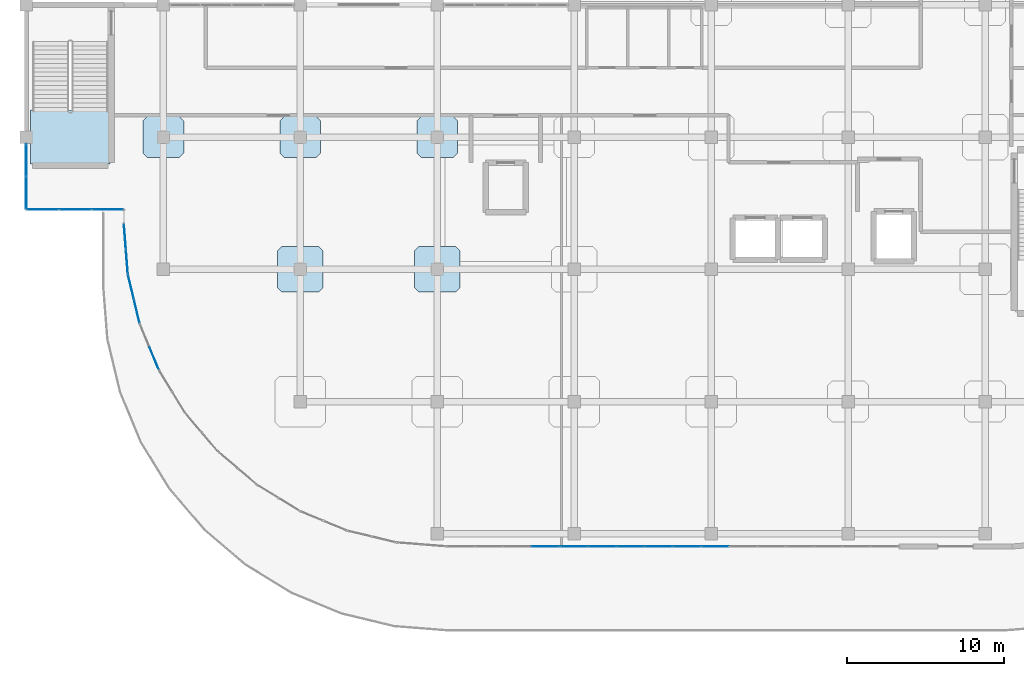
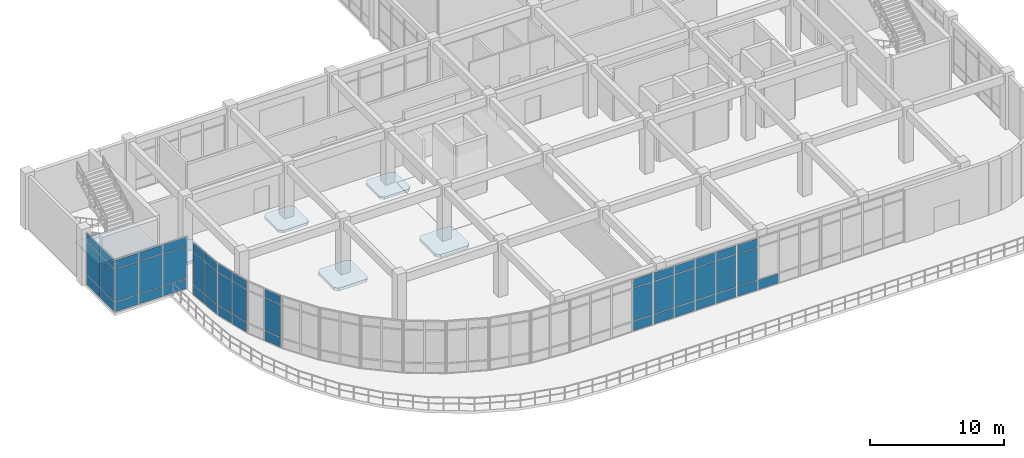
# One storey, part 68 of 96: 49 plates, 6 slabs, 9 elements without a shape of their own.
"""IFC4 building model written with IfcOpenShell, lengths in metres."""

from ifc_helpers import new_model, si_unit, derived_unit, direction, frame, origin, origin_2d, place, context, subcontext, project, spatial, polyline, rectangle, outline, extrude, material, layer, layer_set, type_object, element, aggregate, save


model = new_model("IFC4")

# Units and contexts
model_context = context("Model", 3, precision=1e-05, world=origin(), true_north=direction((0.0, 1.0)))
body_context = subcontext(model_context, "Body", "Model", "MODEL_VIEW")
ifc_project = project(units=[si_unit("LENGTHUNIT", "METRE"), si_unit("AREAUNIT", "SQUARE_METRE"), si_unit("VOLUMEUNIT", "CUBIC_METRE"), si_unit("PLANEANGLEUNIT", "RADIAN"), si_unit("MASSUNIT", "GRAM", prefix="KILO"), derived_unit("THERMALTRANSMITTANCEUNIT", [(si_unit("MASSUNIT", "GRAM", prefix="KILO"), 1), (si_unit("TIMEUNIT", "SECOND"), -3), (si_unit("THERMODYNAMICTEMPERATUREUNIT", "KELVIN"), -1)])], contexts=[model_context])

# Site, building, storey
site_placement = place(None, origin())
site = spatial("IfcSite", under=ifc_project, at=site_placement, CompositionType="ELEMENT")
building_placement = place(site_placement, origin())
building = spatial("IfcBuilding", under=site, at=building_placement, Name="Qinzheling Arcade Emporium", CompositionType="ELEMENT")
storey_placement = place(building_placement, frame((0.0, 0.0, 21.60009765625)))
storey = spatial("IfcBuildingStorey", under=building, at=storey_placement, Name="L05", CompositionType="ELEMENT", Elevation=21.60009765625)

# Slabs
ifc_material_1 = material(Name="Concrete C40", Category="concrete")
ifc_layer_1 = layer(ifc_material_1, 0.235107421875, Name="Concrete C40", Category="concrete")
ifc_layer_set_1 = layer_set([ifc_layer_1], Name="Concrete C40")
slab_type_1 = type_object("IfcSlabType", Name="Column Head Drop Panel 2600x2600x235 C40", PredefinedType="USERDEFINED", material=ifc_layer_set_1)
slab_1_placement = place(storey_placement, frame((0.0, 0.0, -0.51513671875)))
element("IfcSlab", 1, at=slab_1_placement, inside=storey, type_object=slab_type_1, Name="Column Drop Panel DP-L05-2-E", ObjectType="DROP_PANEL", PredefinedType="USERDEFINED", context=body_context, shape_type="SweptSolid", body=[
    extrude(outline(polyline([(7.679931640625, 32.300048828125), (9.719970703125, 32.300048828125), (10.0, 32.580078125), (10.0, 34.6201171875), (9.719970703125, 34.89990234375), (7.679931640625, 34.89990234375), (7.39990234375, 34.6201171875), (7.39990234375, 32.580078125), (7.679931640625, 32.300048828125)])), origin(), (0.0, 0.0, 1.0), 0.235107421875),
])
slab_2_placement = place(storey_placement, frame((0.0, 0.0, -0.51513671875)))
element("IfcSlab", 2, at=slab_2_placement, inside=storey, type_object=slab_type_1, Name="Column Drop Panel DP-L05-3-E", ObjectType="DROP_PANEL", PredefinedType="USERDEFINED", context=body_context, shape_type="SweptSolid", body=[
    extrude(outline(polyline([(16.3798828125, 32.300048828125), (18.419921875, 32.300048828125), (18.699951171875, 32.580078125), (18.699951171875, 34.6201171875), (18.419921875, 34.89990234375), (16.3798828125, 34.89990234375), (16.10009765625, 34.6201171875), (16.10009765625, 32.580078125), (16.3798828125, 32.300048828125)])), origin(), (0.0, 0.0, 1.0), 0.235107421875),
])
slab_3_placement = place(storey_placement, frame((0.0, 0.0, -0.51513671875)))
element("IfcSlab", 3, at=slab_3_placement, inside=storey, type_object=slab_type_1, Name="Column Drop Panel DP-L05-4-E", ObjectType="DROP_PANEL", PredefinedType="USERDEFINED", context=body_context, shape_type="SweptSolid", body=[
    extrude(outline(polyline([(25.080078125, 32.300048828125), (27.1201171875, 32.300048828125), (27.39990234375, 32.580078125), (27.39990234375, 34.6201171875), (27.1201171875, 34.89990234375), (25.080078125, 34.89990234375), (24.800048828125, 34.6201171875), (24.800048828125, 32.580078125), (25.080078125, 32.300048828125)])), origin(), (0.0, 0.0, 1.0), 0.235107421875),
])
ifc_layer_2 = layer(ifc_material_1, 0.27001953125, Name="Concrete C40", Category="concrete")
ifc_layer_set_2 = layer_set([ifc_layer_2], Name="Concrete C40")
slab_type_2 = type_object("IfcSlabType", Name="Column Head Drop Panel 2900x2900x270 C40", PredefinedType="USERDEFINED", material=ifc_layer_set_2)
slab_4_placement = place(storey_placement, frame((0.0, 0.0, -0.550048828125)))
element("IfcSlab", 4, at=slab_4_placement, inside=storey, type_object=slab_type_2, Name="Column Drop Panel DP-L05-3-D", ObjectType="DROP_PANEL", PredefinedType="USERDEFINED", context=body_context, shape_type="SweptSolid", body=[
    extrude(outline(polyline([(16.22998046875, 23.75), (18.570068359375, 23.75), (18.85009765625, 24.030029296875), (18.85009765625, 26.3701171875), (18.570068359375, 26.64990234375), (16.22998046875, 26.64990234375), (15.949951171875, 26.3701171875), (15.949951171875, 24.030029296875), (16.22998046875, 23.75)])), origin(), (0.0, 0.0, 1.0), 0.27001953125),
])
slab_5_placement = place(storey_placement, frame((0.0, 0.0, -0.550048828125)))
element("IfcSlab", 5, at=slab_5_placement, inside=storey, type_object=slab_type_2, Name="Column Drop Panel DP-L05-4-D", ObjectType="DROP_PANEL", PredefinedType="USERDEFINED", context=body_context, shape_type="SweptSolid", body=[
    extrude(outline(polyline([(24.929931640625, 23.75), (27.27001953125, 23.75), (27.550048828125, 24.030029296875), (27.550048828125, 26.3701171875), (27.27001953125, 26.64990234375), (24.929931640625, 26.64990234375), (24.64990234375, 26.3701171875), (24.64990234375, 24.030029296875), (24.929931640625, 23.75)])), origin(), (0.0, 0.0, 1.0), 0.27001953125),
])

# Curtain wall, plates
ifc_material_2 = material(Name="Anodised aluminium and solar-control double glazing", Category="aluminium")
ifc_layer_3 = layer(ifc_material_2, 0.159912109375, Name="Anodised aluminium and solar-control double glazing", Category="aluminium")
ifc_layer_set_3 = layer_set([ifc_layer_3], Name="Anodised aluminium and solar-control double glazing")
curtain_wall_type_1 = type_object("IfcCurtainWallType", Name="Arcade Portal Glazed Curtain Wall", PredefinedType="NOTDEFINED", material=ifc_layer_set_3)
curtain_wall_1_placement = place(storey_placement, origin())
curtain_wall_1 = element("IfcCurtainWall", 6, at=curtain_wall_1_placement, inside=storey, type_object=curtain_wall_type_1, Name="Curtain Wall CW-L05-300", PredefinedType="NOTDEFINED")
ifc_material_3 = material(Name="Laminated solar-control double glazing", Category="glass")
ifc_layer_4 = layer(ifc_material_3, 0.02099609375, Name="Laminated solar-control double glazing", Category="glass")
ifc_layer_set_4 = layer_set([ifc_layer_4], Name="Laminated solar-control double glazing")
plate_type_1 = type_object("IfcPlateType", Name="Low-E Double Glazed Curtain Panel 21mm", PredefinedType="CURTAIN_PANEL", material=ifc_layer_set_4)
plate_1_placement = place(storey_placement, frame((40.14599609375, 7.60009765625, 0.06005859375), z_axis=(0.0, 0.0, 1.0), x_axis=(-1.0, 0.0, 0.0)))
plate_1 = element("IfcPlate", 7, at=plate_1_placement, type_object=plate_type_1, Name="CW05 panel 1.1", PredefinedType="CURTAIN_PANEL", context=body_context, shape_type="SweptSolid", body=[
    extrude(rectangle(XDim=1.7041015625, YDim=0.02099609375, at=origin_2d()), origin(), (0.0, 0.0, 1.0), 0.860107421875),
])
plate_2_placement = place(storey_placement, frame((40.14599609375, 7.60009765625, 0.97998046875), z_axis=(0.0, 0.0, 1.0), x_axis=(-1.0, 0.0, 0.0)))
plate_2 = element("IfcPlate", 8, at=plate_2_placement, type_object=plate_type_1, Name="CW05 panel 1.2", PredefinedType="CURTAIN_PANEL", context=body_context, shape_type="SweptSolid", body=[
    extrude(rectangle(XDim=1.7041015625, YDim=0.02099609375, at=origin_2d()), origin(), (0.0, 0.0, 1.0), 2.929931640625),
])
plate_3_placement = place(storey_placement, frame((40.14599609375, 7.60009765625, 3.9697265625), z_axis=(0.0, 0.0, 1.0), x_axis=(-1.0, 0.0, 0.0)))
plate_3 = element("IfcPlate", 9, at=plate_3_placement, type_object=plate_type_1, Name="CW05 panel 1.3", PredefinedType="CURTAIN_PANEL", context=body_context, shape_type="SweptSolid", body=[
    extrude(rectangle(XDim=1.7041015625, YDim=0.02099609375, at=origin_2d()), origin(), (0.0, 0.0, 1.0), 0.760009765625),
])
plate_4_placement = place(storey_placement, frame((38.366943359375, 7.60009765625, 0.06005859375), z_axis=(0.0, 0.0, 1.0), x_axis=(-1.0, 0.0, 0.0)))
plate_4 = element("IfcPlate", 10, at=plate_4_placement, type_object=plate_type_1, Name="CW05 panel 2.1", PredefinedType="CURTAIN_PANEL", context=body_context, shape_type="SweptSolid", body=[
    extrude(rectangle(XDim=1.73388671875, YDim=0.02099609375, at=origin_2d()), origin(), (0.0, 0.0, 1.0), 0.860107421875),
])
plate_5_placement = place(storey_placement, frame((38.366943359375, 7.60009765625, 0.97998046875), z_axis=(0.0, 0.0, 1.0), x_axis=(-1.0, 0.0, 0.0)))
plate_5 = element("IfcPlate", 11, at=plate_5_placement, type_object=plate_type_1, Name="CW05 panel 2.2", PredefinedType="CURTAIN_PANEL", context=body_context, shape_type="SweptSolid", body=[
    extrude(rectangle(XDim=1.73388671875, YDim=0.02099609375, at=origin_2d()), origin(), (0.0, 0.0, 1.0), 2.929931640625),
])
plate_6_placement = place(storey_placement, frame((38.366943359375, 7.60009765625, 3.9697265625), z_axis=(0.0, 0.0, 1.0), x_axis=(-1.0, 0.0, 0.0)))
plate_6 = element("IfcPlate", 12, at=plate_6_placement, type_object=plate_type_1, Name="CW05 panel 2.3", PredefinedType="CURTAIN_PANEL", context=body_context, shape_type="SweptSolid", body=[
    extrude(rectangle(XDim=1.73388671875, YDim=0.02099609375, at=origin_2d()), origin(), (0.0, 0.0, 1.0), 0.760009765625),
])
plate_7_placement = place(storey_placement, frame((36.572998046875, 7.60009765625, 0.06005859375), z_axis=(0.0, 0.0, 1.0), x_axis=(-1.0, 0.0, 0.0)))
plate_7 = element("IfcPlate", 13, at=plate_7_placement, type_object=plate_type_1, Name="CW05 panel 3.1", PredefinedType="CURTAIN_PANEL", context=body_context, shape_type="SweptSolid", body=[
    extrude(rectangle(XDim=1.73388671875, YDim=0.02099609375, at=origin_2d()), origin(), (0.0, 0.0, 1.0), 0.860107421875),
])
plate_8_placement = place(storey_placement, frame((36.572998046875, 7.60009765625, 0.97998046875), z_axis=(0.0, 0.0, 1.0), x_axis=(-1.0, 0.0, 0.0)))
plate_8 = element("IfcPlate", 14, at=plate_8_placement, type_object=plate_type_1, Name="CW05 panel 3.2", PredefinedType="CURTAIN_PANEL", context=body_context, shape_type="SweptSolid", body=[
    extrude(rectangle(XDim=1.73388671875, YDim=0.02099609375, at=origin_2d()), origin(), (0.0, 0.0, 1.0), 2.929931640625),
])
plate_9_placement = place(storey_placement, frame((36.572998046875, 7.60009765625, 3.9697265625), z_axis=(0.0, 0.0, 1.0), x_axis=(-1.0, 0.0, 0.0)))
plate_9 = element("IfcPlate", 15, at=plate_9_placement, type_object=plate_type_1, Name="CW05 panel 3.3", PredefinedType="CURTAIN_PANEL", context=body_context, shape_type="SweptSolid", body=[
    extrude(rectangle(XDim=1.73388671875, YDim=0.02099609375, at=origin_2d()), origin(), (0.0, 0.0, 1.0), 0.760009765625),
])
plate_10_placement = place(storey_placement, frame((34.7939453125, 7.60009765625, 0.06005859375), z_axis=(0.0, 0.0, 1.0), x_axis=(-1.0, 0.0, 0.0)))
plate_10 = element("IfcPlate", 16, at=plate_10_placement, type_object=plate_type_1, Name="CW05 panel 4.1", PredefinedType="CURTAIN_PANEL", context=body_context, shape_type="SweptSolid", body=[
    extrude(rectangle(XDim=1.7041015625, YDim=0.02099609375, at=origin_2d()), origin(), (0.0, 0.0, 1.0), 0.860107421875),
])
plate_11_placement = place(storey_placement, frame((34.7939453125, 7.60009765625, 0.97998046875), z_axis=(0.0, 0.0, 1.0), x_axis=(-1.0, 0.0, 0.0)))
plate_11 = element("IfcPlate", 17, at=plate_11_placement, type_object=plate_type_1, Name="CW05 panel 4.2", PredefinedType="CURTAIN_PANEL", context=body_context, shape_type="SweptSolid", body=[
    extrude(rectangle(XDim=1.7041015625, YDim=0.02099609375, at=origin_2d()), origin(), (0.0, 0.0, 1.0), 2.929931640625),
])
plate_12_placement = place(storey_placement, frame((34.7939453125, 7.60009765625, 3.9697265625), z_axis=(0.0, 0.0, 1.0), x_axis=(-1.0, 0.0, 0.0)))
plate_12 = element("IfcPlate", 18, at=plate_12_placement, type_object=plate_type_1, Name="CW05 panel 4.3", PredefinedType="CURTAIN_PANEL", context=body_context, shape_type="SweptSolid", body=[
    extrude(rectangle(XDim=1.7041015625, YDim=0.02099609375, at=origin_2d()), origin(), (0.0, 0.0, 1.0), 0.760009765625),
])
aggregate(curtain_wall_1, [plate_1, plate_2, plate_3, plate_4, plate_5, plate_6, plate_7, plate_8, plate_9, plate_10, plate_11, plate_12])

curtain_wall_2_placement = place(storey_placement, origin())
curtain_wall_2 = element("IfcCurtainWall", 19, at=curtain_wall_2_placement, inside=storey, type_object=curtain_wall_type_1, Name="Curtain Wall CW-L05-301", PredefinedType="NOTDEFINED")
ifc_layer_5 = layer(ifc_material_3, 0.02197265625, Name="Laminated solar-control double glazing", Category="glass")
ifc_layer_set_5 = layer_set([ifc_layer_5], Name="Laminated solar-control double glazing")
plate_type_2 = type_object("IfcPlateType", Name="Low-E Double Glazed Curtain Panel 22mm", PredefinedType="CURTAIN_PANEL", material=ifc_layer_set_5)
plate_13_placement = place(storey_placement, frame((32.9658203125, 7.60009765625, 0.06005859375), z_axis=(0.0, 0.0, 1.0), x_axis=(-1.0, 0.0, 0.0)))
plate_13 = element("IfcPlate", 20, at=plate_13_placement, type_object=plate_type_2, Name="CW05 panel 1.1", PredefinedType="CURTAIN_PANEL", context=body_context, shape_type="SweptSolid", body=[
    extrude(rectangle(XDim=1.70458984375, YDim=0.02197265625, at=origin_2d()), origin(), (0.0, 0.0, 1.0), 0.860107421875),
])
plate_14_placement = place(storey_placement, frame((32.9658203125, 7.60009765625, 0.97998046875), z_axis=(0.0, 0.0, 1.0), x_axis=(-1.0, 0.0, 0.0)))
plate_14 = element("IfcPlate", 21, at=plate_14_placement, type_object=plate_type_2, Name="CW05 panel 1.2", PredefinedType="CURTAIN_PANEL", context=body_context, shape_type="SweptSolid", body=[
    extrude(rectangle(XDim=1.70458984375, YDim=0.02197265625, at=origin_2d()), origin(), (0.0, 0.0, 1.0), 2.929931640625),
])
plate_15_placement = place(storey_placement, frame((32.9658203125, 7.60009765625, 3.9697265625), z_axis=(0.0, 0.0, 1.0), x_axis=(-1.0, 0.0, 0.0)))
plate_15 = element("IfcPlate", 22, at=plate_15_placement, type_object=plate_type_2, Name="CW05 panel 1.3", PredefinedType="CURTAIN_PANEL", context=body_context, shape_type="SweptSolid", body=[
    extrude(rectangle(XDim=1.70458984375, YDim=0.02197265625, at=origin_2d()), origin(), (0.0, 0.0, 1.0), 0.760009765625),
])
aggregate(curtain_wall_2, [plate_13, plate_14, plate_15])

ifc_layer_6 = layer(ifc_material_2, 0.159912109375, Name="Anodised aluminium and solar-control double glazing", Category="aluminium")
ifc_layer_set_6 = layer_set([ifc_layer_6], Name="Anodised aluminium and solar-control double glazing")
curtain_wall_type_2 = type_object("IfcCurtainWallType", Name="Curved Ribbon Sales Curtain Wall", PredefinedType="NOTDEFINED", material=ifc_layer_set_6)
curtain_wall_3_placement = place(storey_placement, origin())
curtain_wall_3 = element("IfcCurtainWall", 23, at=curtain_wall_3_placement, inside=storey, type_object=curtain_wall_type_2, Name="Curtain Wall CW-L05-309", PredefinedType="NOTDEFINED")
ifc_layer_7 = layer(ifc_material_3, 0.031005859375, Name="Laminated solar-control double glazing", Category="glass")
ifc_layer_set_7 = layer_set([ifc_layer_7], Name="Laminated solar-control double glazing")
plate_type_3 = type_object("IfcPlateType", Name="Low-E Double Glazed Curtain Panel 31mm", PredefinedType="CURTAIN_PANEL", material=ifc_layer_set_7)
plate_16_placement = place(storey_placement, frame((8.12060546875, 19.5498046875, 0.06005859375), z_axis=(0.0, 0.0, 1.0), x_axis=(-0.38267210045, 0.923884226263, 0.0)))
plate_16 = element("IfcPlate", 24, at=plate_16_placement, type_object=plate_type_3, Name="CW02 panel 1.1", PredefinedType="CURTAIN_PANEL", context=body_context, shape_type="SweptSolid", body=[
    extrude(rectangle(XDim=1.518310546875, YDim=0.031005859375, at=origin_2d()), origin(), (0.0, 0.0, 1.0), 0.860107421875),
])
plate_17_placement = place(storey_placement, frame((8.12060546875, 19.5498046875, 0.97998046875), z_axis=(0.0, 0.0, 1.0), x_axis=(-0.38267210045, 0.923884226263, 0.0)))
plate_17 = element("IfcPlate", 25, at=plate_17_placement, type_object=plate_type_3, Name="CW02 panel 1.2", PredefinedType="CURTAIN_PANEL", context=body_context, shape_type="SweptSolid", body=[
    extrude(rectangle(XDim=1.518310546875, YDim=0.031005859375, at=origin_2d()), origin(), (0.0, 0.0, 1.0), 2.929931640625),
])
plate_18_placement = place(storey_placement, frame((8.12060546875, 19.5498046875, 3.9697265625), z_axis=(0.0, 0.0, 1.0), x_axis=(-0.38267210045, 0.923884226263, 0.0)))
plate_18 = element("IfcPlate", 26, at=plate_18_placement, type_object=plate_type_3, Name="CW02 panel 1.3", PredefinedType="CURTAIN_PANEL", context=body_context, shape_type="SweptSolid", body=[
    extrude(rectangle(XDim=1.518310546875, YDim=0.031005859375, at=origin_2d()), origin(), (0.0, 0.0, 1.0), 0.760009765625),
])
aggregate(curtain_wall_3, [plate_16, plate_17, plate_18])

curtain_wall_4_placement = place(storey_placement, origin())
curtain_wall_4 = element("IfcCurtainWall", 27, at=curtain_wall_4_placement, inside=storey, type_object=curtain_wall_type_2, Name="Curtain Wall CW-L05-310", PredefinedType="NOTDEFINED")
ifc_layer_8 = layer(ifc_material_3, 0.031982421875, Name="Laminated solar-control double glazing", Category="glass")
ifc_layer_set_8 = layer_set([ifc_layer_8], Name="Laminated solar-control double glazing")
plate_type_4 = type_object("IfcPlateType", Name="Low-E Double Glazed Curtain Panel 32mm", PredefinedType="CURTAIN_PANEL", material=ifc_layer_set_8)
plate_19_placement = place(storey_placement, frame((7.01171875, 22.5615234375, 0.06005859375), z_axis=(0.0, 0.0, 1.0), x_axis=(-0.233455251725, 0.972367546477, 0.0)))
plate_19 = element("IfcPlate", 28, at=plate_19_placement, type_object=plate_type_4, Name="CW02 panel 1.1", PredefinedType="CURTAIN_PANEL", context=body_context, shape_type="SweptSolid", body=[
    extrude(rectangle(XDim=1.5185546875, YDim=0.031982421875, at=origin_2d()), origin(), (0.0, 0.0, 1.0), 0.860107421875),
])
plate_20_placement = place(storey_placement, frame((7.01171875, 22.5615234375, 0.97998046875), z_axis=(0.0, 0.0, 1.0), x_axis=(-0.233455251725, 0.972367546477, 0.0)))
plate_20 = element("IfcPlate", 29, at=plate_20_placement, type_object=plate_type_4, Name="CW02 panel 1.2", PredefinedType="CURTAIN_PANEL", context=body_context, shape_type="SweptSolid", body=[
    extrude(rectangle(XDim=1.5185546875, YDim=0.031982421875, at=origin_2d()), origin(), (0.0, 0.0, 1.0), 2.929931640625),
])
plate_21_placement = place(storey_placement, frame((7.01171875, 22.5615234375, 3.9697265625), z_axis=(0.0, 0.0, 1.0), x_axis=(-0.233455251725, 0.972367546477, 0.0)))
plate_21 = element("IfcPlate", 30, at=plate_21_placement, type_object=plate_type_4, Name="CW02 panel 1.3", PredefinedType="CURTAIN_PANEL", context=body_context, shape_type="SweptSolid", body=[
    extrude(rectangle(XDim=1.5185546875, YDim=0.031982421875, at=origin_2d()), origin(), (0.0, 0.0, 1.0), 0.760009765625),
])
plate_22_placement = place(storey_placement, frame((6.643310546875, 24.096435546875, 0.06005859375), z_axis=(0.0, 0.0, 1.0), x_axis=(-0.233455251725, 0.972367546477, 0.0)))
plate_22 = element("IfcPlate", 31, at=plate_22_placement, type_object=plate_type_4, Name="CW02 panel 2.1", PredefinedType="CURTAIN_PANEL", context=body_context, shape_type="SweptSolid", body=[
    extrude(rectangle(XDim=1.5185546875, YDim=0.031982421875, at=origin_2d()), origin(), (0.0, 0.0, 1.0), 0.860107421875),
])
plate_23_placement = place(storey_placement, frame((6.643310546875, 24.096435546875, 0.97998046875), z_axis=(0.0, 0.0, 1.0), x_axis=(-0.233455251725, 0.972367546477, 0.0)))
plate_23 = element("IfcPlate", 32, at=plate_23_placement, type_object=plate_type_4, Name="CW02 panel 2.2", PredefinedType="CURTAIN_PANEL", context=body_context, shape_type="SweptSolid", body=[
    extrude(rectangle(XDim=1.5185546875, YDim=0.031982421875, at=origin_2d()), origin(), (0.0, 0.0, 1.0), 2.929931640625),
])
plate_24_placement = place(storey_placement, frame((6.643310546875, 24.096435546875, 3.9697265625), z_axis=(0.0, 0.0, 1.0), x_axis=(-0.233455251725, 0.972367546477, 0.0)))
plate_24 = element("IfcPlate", 33, at=plate_24_placement, type_object=plate_type_4, Name="CW02 panel 2.3", PredefinedType="CURTAIN_PANEL", context=body_context, shape_type="SweptSolid", body=[
    extrude(rectangle(XDim=1.5185546875, YDim=0.031982421875, at=origin_2d()), origin(), (0.0, 0.0, 1.0), 0.760009765625),
])
aggregate(curtain_wall_4, [plate_19, plate_20, plate_21, plate_22, plate_23, plate_24])

curtain_wall_5_placement = place(storey_placement, origin())
curtain_wall_5 = element("IfcCurtainWall", 34, at=curtain_wall_5_placement, inside=storey, type_object=curtain_wall_type_2, Name="Curtain Wall CW-L05-311", PredefinedType="NOTDEFINED")
ifc_layer_9 = layer(ifc_material_3, 0.033935546875, Name="Laminated solar-control double glazing", Category="glass")
ifc_layer_set_9 = layer_set([ifc_layer_9], Name="Laminated solar-control double glazing")
plate_type_5 = type_object("IfcPlateType", Name="Low-E Double Glazed Curtain Panel 34mm", PredefinedType="CURTAIN_PANEL", material=ifc_layer_set_9)
plate_25_placement = place(storey_placement, frame((6.387939453125, 25.709716796875, 0.06005859375), z_axis=(0.0, 0.0, 1.0), x_axis=(-0.078336637005, 0.996926963876, 0.0)))
plate_25 = element("IfcPlate", 35, at=plate_25_placement, type_object=plate_type_5, Name="CW02 panel 1.1", PredefinedType="CURTAIN_PANEL", context=body_context, shape_type="SweptSolid", body=[
    extrude(rectangle(XDim=1.5185546875, YDim=0.033935546875, at=origin_2d()), origin(), (0.0, 0.0, 1.0), 0.860107421875),
])
plate_26_placement = place(storey_placement, frame((6.387939453125, 25.709716796875, 0.97998046875), z_axis=(0.0, 0.0, 1.0), x_axis=(-0.078336637005, 0.996926963876, 0.0)))
plate_26 = element("IfcPlate", 36, at=plate_26_placement, type_object=plate_type_5, Name="CW02 panel 1.2", PredefinedType="CURTAIN_PANEL", context=body_context, shape_type="SweptSolid", body=[
    extrude(rectangle(XDim=1.5185546875, YDim=0.033935546875, at=origin_2d()), origin(), (0.0, 0.0, 1.0), 2.929931640625),
])
plate_27_placement = place(storey_placement, frame((6.387939453125, 25.709716796875, 3.9697265625), z_axis=(0.0, 0.0, 1.0), x_axis=(-0.078336637005, 0.996926963876, 0.0)))
plate_27 = element("IfcPlate", 37, at=plate_27_placement, type_object=plate_type_5, Name="CW02 panel 1.3", PredefinedType="CURTAIN_PANEL", context=body_context, shape_type="SweptSolid", body=[
    extrude(rectangle(XDim=1.5185546875, YDim=0.033935546875, at=origin_2d()), origin(), (0.0, 0.0, 1.0), 0.760009765625),
])
plate_28_placement = place(storey_placement, frame((6.26416015625, 27.283203125, 0.06005859375), z_axis=(0.0, 0.0, 1.0), x_axis=(-0.078336637005, 0.996926963876, 0.0)))
plate_28 = element("IfcPlate", 38, at=plate_28_placement, type_object=plate_type_5, Name="CW02 panel 2.1", PredefinedType="CURTAIN_PANEL", context=body_context, shape_type="SweptSolid", body=[
    extrude(rectangle(XDim=1.5185546875, YDim=0.033935546875, at=origin_2d()), origin(), (0.0, 0.0, 1.0), 0.860107421875),
])
plate_29_placement = place(storey_placement, frame((6.26416015625, 27.283203125, 0.97998046875), z_axis=(0.0, 0.0, 1.0), x_axis=(-0.078336637005, 0.996926963876, 0.0)))
plate_29 = element("IfcPlate", 39, at=plate_29_placement, type_object=plate_type_5, Name="CW02 panel 2.2", PredefinedType="CURTAIN_PANEL", context=body_context, shape_type="SweptSolid", body=[
    extrude(rectangle(XDim=1.5185546875, YDim=0.033935546875, at=origin_2d()), origin(), (0.0, 0.0, 1.0), 2.929931640625),
])
plate_30_placement = place(storey_placement, frame((6.26416015625, 27.283203125, 3.9697265625), z_axis=(0.0, 0.0, 1.0), x_axis=(-0.078336637005, 0.996926963876, 0.0)))
plate_30 = element("IfcPlate", 40, at=plate_30_placement, type_object=plate_type_5, Name="CW02 panel 2.3", PredefinedType="CURTAIN_PANEL", context=body_context, shape_type="SweptSolid", body=[
    extrude(rectangle(XDim=1.5185546875, YDim=0.033935546875, at=origin_2d()), origin(), (0.0, 0.0, 1.0), 0.760009765625),
])
aggregate(curtain_wall_5, [plate_25, plate_26, plate_27, plate_28, plate_29, plate_30])

curtain_wall_6_placement = place(storey_placement, origin())
curtain_wall_6 = element("IfcCurtainWall", 41, at=curtain_wall_6_placement, inside=storey, type_object=curtain_wall_type_1, Name="Curtain Wall CW-L05-312", PredefinedType="NOTDEFINED")
ifc_layer_10 = layer(ifc_material_3, 0.035888671875, Name="Laminated solar-control double glazing", Category="glass")
ifc_layer_set_10 = layer_set([ifc_layer_10], Name="Laminated solar-control double glazing")
plate_type_6 = type_object("IfcPlateType", Name="Low-E Double Glazed Curtain Panel 36mm", PredefinedType="CURTAIN_PANEL", material=ifc_layer_set_10)
plate_31_placement = place(storey_placement, frame((5.151611328125, 29.0, 0.06005859375), z_axis=(0.0, 0.0, 1.0), x_axis=(-1.0, 0.0, 0.0)))
plate_31 = element("IfcPlate", 42, at=plate_31_placement, type_object=plate_type_6, Name="CW05 panel 1.1", PredefinedType="CURTAIN_PANEL", context=body_context, shape_type="SweptSolid", body=[
    extrude(rectangle(XDim=1.9765625, YDim=0.035888671875, at=origin_2d()), origin(), (0.0, 0.0, 1.0), 0.860107421875),
])
plate_32_placement = place(storey_placement, frame((5.151611328125, 29.0, 0.97998046875), z_axis=(0.0, 0.0, 1.0), x_axis=(-1.0, 0.0, 0.0)))
plate_32 = element("IfcPlate", 43, at=plate_32_placement, type_object=plate_type_6, Name="CW05 panel 1.2", PredefinedType="CURTAIN_PANEL", context=body_context, shape_type="SweptSolid", body=[
    extrude(rectangle(XDim=1.9765625, YDim=0.035888671875, at=origin_2d()), origin(), (0.0, 0.0, 1.0), 2.929931640625),
])
plate_33_placement = place(storey_placement, frame((5.151611328125, 29.0, 3.9697265625), z_axis=(0.0, 0.0, 1.0), x_axis=(-1.0, 0.0, 0.0)))
plate_33 = element("IfcPlate", 44, at=plate_33_placement, type_object=plate_type_6, Name="CW05 panel 1.3", PredefinedType="CURTAIN_PANEL", context=body_context, shape_type="SweptSolid", body=[
    extrude(rectangle(XDim=1.9765625, YDim=0.035888671875, at=origin_2d()), origin(), (0.0, 0.0, 1.0), 0.760009765625),
])
plate_34_placement = place(storey_placement, frame((3.10009765625, 29.0, 0.06005859375), z_axis=(0.0, 0.0, 1.0), x_axis=(-1.0, 0.0, 0.0)))
plate_34 = element("IfcPlate", 45, at=plate_34_placement, type_object=plate_type_6, Name="CW05 panel 2.1", PredefinedType="CURTAIN_PANEL", context=body_context, shape_type="SweptSolid", body=[
    extrude(rectangle(XDim=2.006591796875, YDim=0.035888671875, at=origin_2d()), origin(), (0.0, 0.0, 1.0), 0.860107421875),
])
plate_35_placement = place(storey_placement, frame((3.10009765625, 29.0, 0.97998046875), z_axis=(0.0, 0.0, 1.0), x_axis=(-1.0, 0.0, 0.0)))
plate_35 = element("IfcPlate", 46, at=plate_35_placement, type_object=plate_type_6, Name="CW05 panel 2.2", PredefinedType="CURTAIN_PANEL", context=body_context, shape_type="SweptSolid", body=[
    extrude(rectangle(XDim=2.006591796875, YDim=0.035888671875, at=origin_2d()), origin(), (0.0, 0.0, 1.0), 2.929931640625),
])
plate_36_placement = place(storey_placement, frame((3.10009765625, 29.0, 3.9697265625), z_axis=(0.0, 0.0, 1.0), x_axis=(-1.0, 0.0, 0.0)))
plate_36 = element("IfcPlate", 47, at=plate_36_placement, type_object=plate_type_6, Name="CW05 panel 2.3", PredefinedType="CURTAIN_PANEL", context=body_context, shape_type="SweptSolid", body=[
    extrude(rectangle(XDim=2.006591796875, YDim=0.035888671875, at=origin_2d()), origin(), (0.0, 0.0, 1.0), 0.760009765625),
])
plate_37_placement = place(storey_placement, frame((1.04833984375, 29.0, 0.06005859375), z_axis=(0.0, 0.0, 1.0), x_axis=(-1.0, 0.0, 0.0)))
plate_37 = element("IfcPlate", 48, at=plate_37_placement, type_object=plate_type_6, Name="CW05 panel 3.1", PredefinedType="CURTAIN_PANEL", context=body_context, shape_type="SweptSolid", body=[
    extrude(rectangle(XDim=1.9765625, YDim=0.035888671875, at=origin_2d()), origin(), (0.0, 0.0, 1.0), 0.860107421875),
])
plate_38_placement = place(storey_placement, frame((1.04833984375, 29.0, 0.97998046875), z_axis=(0.0, 0.0, 1.0), x_axis=(-1.0, 0.0, 0.0)))
plate_38 = element("IfcPlate", 49, at=plate_38_placement, type_object=plate_type_6, Name="CW05 panel 3.2", PredefinedType="CURTAIN_PANEL", context=body_context, shape_type="SweptSolid", body=[
    extrude(rectangle(XDim=1.9765625, YDim=0.035888671875, at=origin_2d()), origin(), (0.0, 0.0, 1.0), 2.929931640625),
])
plate_39_placement = place(storey_placement, frame((1.04833984375, 29.0, 3.9697265625), z_axis=(0.0, 0.0, 1.0), x_axis=(-1.0, 0.0, 0.0)))
plate_39 = element("IfcPlate", 50, at=plate_39_placement, type_object=plate_type_6, Name="CW05 panel 3.3", PredefinedType="CURTAIN_PANEL", context=body_context, shape_type="SweptSolid", body=[
    extrude(rectangle(XDim=1.9765625, YDim=0.035888671875, at=origin_2d()), origin(), (0.0, 0.0, 1.0), 0.760009765625),
])
aggregate(curtain_wall_6, [plate_31, plate_32, plate_33, plate_34, plate_35, plate_36, plate_37, plate_38, plate_39])

curtain_wall_7_placement = place(storey_placement, origin())
curtain_wall_7 = element("IfcCurtainWall", 51, at=curtain_wall_7_placement, inside=storey, type_object=curtain_wall_type_1, Name="Curtain Wall CW-L05-313", PredefinedType="NOTDEFINED")
ifc_layer_11 = layer(ifc_material_3, 0.0380859375, Name="Laminated solar-control double glazing", Category="glass")
ifc_layer_set_11 = layer_set([ifc_layer_11], Name="Laminated solar-control double glazing")
plate_type_7 = type_object("IfcPlateType", Name="Low-E Double Glazed Curtain Panel 38mm", PredefinedType="CURTAIN_PANEL", material=ifc_layer_set_11)
plate_40_placement = place(storey_placement, frame((0.0, 30.064453125, 0.06005859375), z_axis=(0.0, 0.0, 1.0), x_axis=(0.0, 1.0, 0.0)))
plate_40 = element("IfcPlate", 52, at=plate_40_placement, type_object=plate_type_7, Name="CW05 panel 1.1", PredefinedType="CURTAIN_PANEL", context=body_context, shape_type="SweptSolid", body=[
    extrude(rectangle(XDim=2.009033203125, YDim=0.0380859375, at=origin_2d()), origin(), (0.0, 0.0, 1.0), 0.860107421875),
])
plate_41_placement = place(storey_placement, frame((0.0, 30.064453125, 0.97998046875), z_axis=(0.0, 0.0, 1.0), x_axis=(0.0, 1.0, 0.0)))
plate_41 = element("IfcPlate", 53, at=plate_41_placement, type_object=plate_type_7, Name="CW05 panel 1.2", PredefinedType="CURTAIN_PANEL", context=body_context, shape_type="SweptSolid", body=[
    extrude(rectangle(XDim=2.009033203125, YDim=0.0380859375, at=origin_2d()), origin(), (0.0, 0.0, 1.0), 2.929931640625),
])
plate_42_placement = place(storey_placement, frame((0.0, 30.064453125, 3.9697265625), z_axis=(0.0, 0.0, 1.0), x_axis=(0.0, 1.0, 0.0)))
plate_42 = element("IfcPlate", 54, at=plate_42_placement, type_object=plate_type_7, Name="CW05 panel 1.3", PredefinedType="CURTAIN_PANEL", context=body_context, shape_type="SweptSolid", body=[
    extrude(rectangle(XDim=2.009033203125, YDim=0.0380859375, at=origin_2d()), origin(), (0.0, 0.0, 1.0), 0.760009765625),
])
plate_43_placement = place(storey_placement, frame((0.0, 32.133544921875, 0.06005859375), z_axis=(0.0, 0.0, 1.0), x_axis=(0.0, 1.0, 0.0)))
plate_43 = element("IfcPlate", 55, at=plate_43_placement, type_object=plate_type_7, Name="CW05 panel 2.1", PredefinedType="CURTAIN_PANEL", context=body_context, shape_type="SweptSolid", body=[
    extrude(rectangle(XDim=2.009033203125, YDim=0.0380859375, at=origin_2d()), origin(), (0.0, 0.0, 1.0), 0.860107421875),
])
plate_44_placement = place(storey_placement, frame((0.0, 32.133544921875, 0.97998046875), z_axis=(0.0, 0.0, 1.0), x_axis=(0.0, 1.0, 0.0)))
plate_44 = element("IfcPlate", 56, at=plate_44_placement, type_object=plate_type_7, Name="CW05 panel 2.2", PredefinedType="CURTAIN_PANEL", context=body_context, shape_type="SweptSolid", body=[
    extrude(rectangle(XDim=2.009033203125, YDim=0.0380859375, at=origin_2d()), origin(), (0.0, 0.0, 1.0), 2.929931640625),
])
plate_45_placement = place(storey_placement, frame((0.0, 32.133544921875, 3.9697265625), z_axis=(0.0, 0.0, 1.0), x_axis=(0.0, 1.0, 0.0)))
plate_45 = element("IfcPlate", 57, at=plate_45_placement, type_object=plate_type_7, Name="CW05 panel 2.3", PredefinedType="CURTAIN_PANEL", context=body_context, shape_type="SweptSolid", body=[
    extrude(rectangle(XDim=2.009033203125, YDim=0.0380859375, at=origin_2d()), origin(), (0.0, 0.0, 1.0), 0.760009765625),
])
aggregate(curtain_wall_7, [plate_40, plate_41, plate_42, plate_43, plate_44, plate_45])

curtain_wall_8_placement = place(storey_placement, origin())
curtain_wall_8 = element("IfcCurtainWall", 58, at=curtain_wall_8_placement, inside=storey, type_object=curtain_wall_type_1, Name="Curtain Wall CW-L05-299", PredefinedType="NOTDEFINED")
ifc_layer_12 = layer(ifc_material_3, 0.0419921875, Name="Laminated solar-control double glazing", Category="glass")
ifc_layer_set_12 = layer_set([ifc_layer_12], Name="Laminated solar-control double glazing")
plate_type_8 = type_object("IfcPlateType", Name="Low-E Double Glazed Curtain Panel 42mm", PredefinedType="CURTAIN_PANEL", material=ifc_layer_set_12)
plate_46_placement = place(storey_placement, frame((43.7529296875, 7.60009765625, 0.06005859375), z_axis=(0.0, 0.0, 1.0), x_axis=(-1.0, 0.0, 0.0)))
plate_46 = element("IfcPlate", 59, at=plate_46_placement, type_object=plate_type_8, Name="CW05 panel 3.1", PredefinedType="CURTAIN_PANEL", context=body_context, shape_type="SweptSolid", body=[
    extrude(rectangle(XDim=1.73388671875, YDim=0.0419921875, at=origin_2d()), origin(), (0.0, 0.0, 1.0), 0.860107421875),
])
plate_47_placement = place(storey_placement, frame((41.97412109375, 7.60009765625, 0.06005859375), z_axis=(0.0, 0.0, 1.0), x_axis=(-1.0, 0.0, 0.0)))
plate_47 = element("IfcPlate", 60, at=plate_47_placement, type_object=plate_type_8, Name="CW05 panel 4.1", PredefinedType="CURTAIN_PANEL", context=body_context, shape_type="SweptSolid", body=[
    extrude(rectangle(XDim=1.7041015625, YDim=0.0419921875, at=origin_2d()), origin(), (0.0, 0.0, 1.0), 0.860107421875),
])
plate_48_placement = place(storey_placement, frame((41.97412109375, 7.60009765625, 0.97998046875), z_axis=(0.0, 0.0, 1.0), x_axis=(-1.0, 0.0, 0.0)))
plate_48 = element("IfcPlate", 61, at=plate_48_placement, type_object=plate_type_8, Name="CW05 panel 4.2", PredefinedType="CURTAIN_PANEL", context=body_context, shape_type="SweptSolid", body=[
    extrude(rectangle(XDim=1.7041015625, YDim=0.0419921875, at=origin_2d()), origin(), (0.0, 0.0, 1.0), 2.929931640625),
])
plate_49_placement = place(storey_placement, frame((41.97412109375, 7.60009765625, 3.9697265625), z_axis=(0.0, 0.0, 1.0), x_axis=(-1.0, 0.0, 0.0)))
plate_49 = element("IfcPlate", 62, at=plate_49_placement, type_object=plate_type_8, Name="CW05 panel 4.3", PredefinedType="CURTAIN_PANEL", context=body_context, shape_type="SweptSolid", body=[
    extrude(rectangle(XDim=1.7041015625, YDim=0.0419921875, at=origin_2d()), origin(), (0.0, 0.0, 1.0), 0.760009765625),
])
aggregate(curtain_wall_8, [plate_46, plate_47, plate_48, plate_49])

# Stair, slab
stair_type = type_object("IfcStairType", Name="Cast-in-Situ Dog-Leg Escape Stair H5100", PredefinedType="HALF_TURN_STAIR", material=ifc_material_1)
stair_placement = place(storey_placement, origin())
stair = element("IfcStair", 63, at=stair_placement, inside=storey, type_object=stair_type, Name="L05 ST02", PredefinedType="HALF_TURN_STAIR")
ifc_layer_13 = layer(ifc_material_1, 0.199951171875, Name="Concrete C40", Category="concrete")
ifc_layer_set_13 = layer_set([ifc_layer_13], Name="Concrete C40")
slab_type_3 = type_object("IfcSlabType", Name="Stair Half-Turn Landing Slab 200 C40", PredefinedType="LANDING", material=ifc_layer_set_13)
slab_6_placement = place(storey_placement, frame((0.0, 0.0, 2.349853515625)))
slab_6 = element("IfcSlab", 64, at=slab_6_placement, type_object=slab_type_3, Name="ST02 landing 1", PredefinedType="LANDING", context=body_context, shape_type="SweptSolid", body=[
    extrude(outline(polyline([(0.280029296875, 35.320068359375), (5.31005859375, 35.320068359375), (5.31005859375, 31.8798828125), (0.280029296875, 31.8798828125), (0.280029296875, 35.320068359375)])), origin(), (0.0, 0.0, 1.0), 0.199951171875),
])
aggregate(stair, [slab_6])

save(model, "model.ifc")
